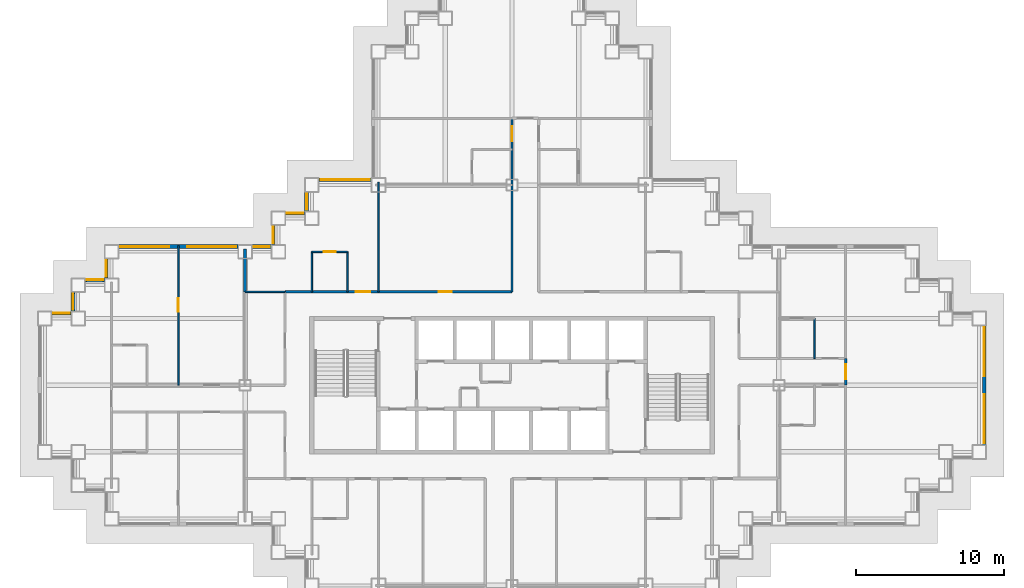
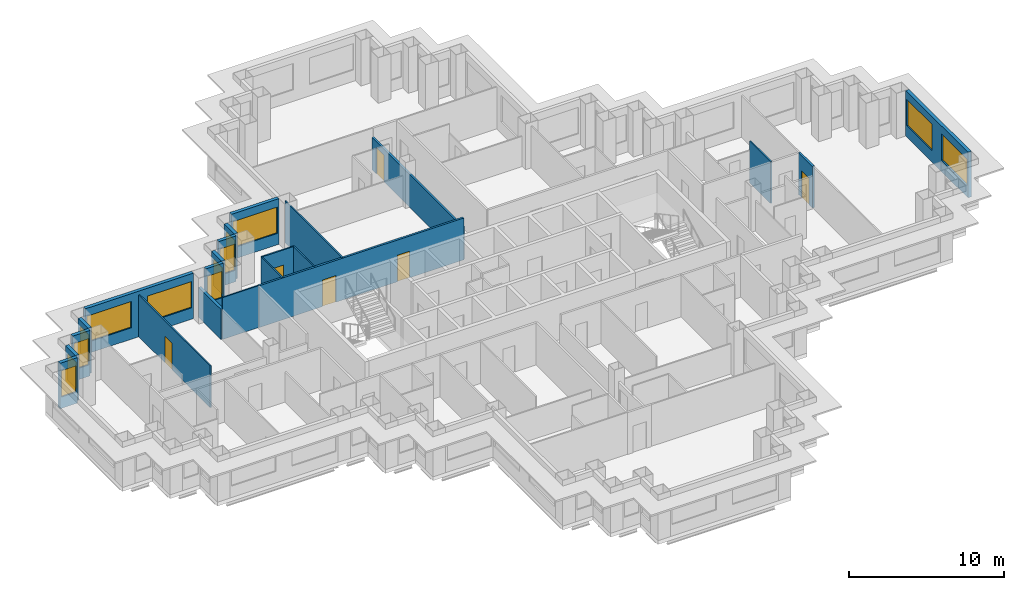
# One storey, part 7 of 14: 22 walls, 13 windows, 6 doors, 19 openings.
"""IFC4 building model written with IfcOpenShell, lengths in metres."""

from ifc_helpers import new_model, si_unit, direction, frame, frame_2d, origin, place, context, subcontext, project, spatial, rectangle, extrude, material, layer, layer_set, type_object, element, fill, save


model = new_model("IFC4")

# Units and contexts
model_context = context("Model", 3, precision=1e-05, world=origin(), true_north=direction((0.0, 1.0)))
body_context = subcontext(model_context, "Body", "Model", "MODEL_VIEW")
ifc_project = project(units=[si_unit("LENGTHUNIT", "METRE"), si_unit("AREAUNIT", "SQUARE_METRE"), si_unit("VOLUMEUNIT", "CUBIC_METRE"), si_unit("PLANEANGLEUNIT", "RADIAN"), si_unit("MASSUNIT", "GRAM", prefix="KILO")], contexts=[model_context])

# Site, building, storey
site_placement = place(None, origin())
site = spatial("IfcSite", under=ifc_project, at=site_placement, CompositionType="ELEMENT")
building_placement = place(site_placement, origin())
building = spatial("IfcBuilding", under=site, at=building_placement, Name="Caravel Reach Hotel and Residences", CompositionType="ELEMENT")
storey_placement = place(building_placement, frame((0.0, 0.0, 88.800048828125)))
storey = spatial("IfcBuildingStorey", under=building, at=storey_placement, Name="L21", CompositionType="ELEMENT", Elevation=88.800048828125)

# Wall, opening, door
ifc_material_1 = material(Name="Gypsum board on steel stud", Category="steel")
ifc_layer_1 = layer(ifc_material_1, 0.10009765625)
ifc_layer_set_1 = layer_set([ifc_layer_1], Name="Bathroom pod wall 100 mm")
wall_type_1 = type_object("IfcWallType", Name="Bathroom pod wall 100 mm", PredefinedType="PARTITIONING", material=ifc_layer_set_1)
wall_1_placement = place(storey_placement, frame((18.0, 36.0, 0.0), z_axis=(0.0, 0.0, 1.0), x_axis=(1.0, 0.0, 0.0)))
wall_1 = element("IfcWall", 1, at=wall_1_placement, inside=storey, type_object=wall_type_1, Name="L21 wall w079", PredefinedType="PARTITIONING", context=body_context, shape_type="SweptSolid", body=[
    extrude(rectangle(XDim=2.39990234375, YDim=0.10009765625, at=frame_2d((1.199951171875, 0.0))), origin(), (0.0, 0.0, 1.0), 3.300048828125),
])
opening_1_placement = place(wall_1_placement, frame((0.800048828125, 0.0, 0.0)))
opening_1 = element("IfcOpeningElement", 2, at=opening_1_placement, cuts=wall_1, Name="Opening D21-039", PredefinedType="OPENING", context=body_context, shape_type="SweptSolid", body=[
    extrude(rectangle(XDim=0.800048828125, YDim=2.10009765625, at=frame_2d((0.39990234375, 1.050048828125))), frame((0.0, 0.06005859375, 0.0), z_axis=(0.0, -1.0, 0.0), x_axis=(1.0, 0.0, 0.0)), (0.0, 0.0, 1.0), 0.1201171875),
])
ifc_material_2 = material(Name="Timber and steel door leaf", Category="steel")
door_type_1 = type_object("IfcDoorType", Name="Bathroom door 800 x 2100", OperationType="SINGLE_SWING_LEFT", PredefinedType="DOOR", material=ifc_material_2)
door_1_placement = place(opening_1_placement, origin())
door_1 = element("IfcDoor", 3, at=door_1_placement, inside=storey, type_object=door_type_1, Name="door D21-039", OperationType="SINGLE_SWING_RIGHT", OverallHeight=2.10009765625, OverallWidth=0.800048828125, PredefinedType="DOOR", context=body_context, shape_type="SweptSolid", body=[
    extrude(rectangle(XDim=0.800048828125, YDim=2.10009765625, at=frame_2d((0.39990234375, 1.050048828125))), frame((0.0, 0.02490234375, 0.0), z_axis=(0.0, -1.0, 0.0), x_axis=(1.0, 0.0, 0.0)), (0.0, 0.0, 1.0), 0.050048828125),
])
fill(opening_1, door_1)

# Walls
for number, where, z_axis, x_axis, name in (
    (4, (18.0, 33.300048828125, 0.0), (0.0, 0.0, 1.0), (0.0, 1.0, 0.0), "L21 wall w083"),
    (5, (20.39990234375, 33.300048828125, 0.0), (0.0, 0.0, 1.0), (0.0, 1.0, 0.0), "L21 wall w084"),
    (6, (51.89990234375, 28.800048828125, 0.0), (0.0, 0.0, 1.0), (0.0, 1.0, 0.0), "L21 wall w092"),
):
    element("IfcWall", number, at=place(storey_placement, frame(where, z_axis=z_axis, x_axis=x_axis)), inside=storey, type_object=wall_type_1, Name=name, PredefinedType="PARTITIONING", context=body_context, shape_type="SweptSolid", body=[
        extrude(rectangle(XDim=2.699951171875, YDim=0.10009765625, at=frame_2d((1.35009765625, 0.0))), origin(), (0.0, 0.0, 1.0), 3.300048828125),
    ])

# Wall, openings, doors
ifc_material_3 = material(Name="Gypsum board on steel stud, fire-rated", Category="steel")
ifc_layer_2 = layer(ifc_material_3, 0.14990234375)
ifc_layer_set_2 = layer_set([ifc_layer_2], Name="Corridor wall 150 mm EI 60")
wall_type_2 = type_object("IfcWallType", Name="Corridor wall 150 mm EI 60", PredefinedType="PARTITIONING", material=ifc_layer_set_2)
wall_2_placement = place(storey_placement, frame((16.199951171875, 33.300048828125, 0.0), z_axis=(0.0, 0.0, 1.0), x_axis=(1.0, 0.0, 0.0)))
wall_2 = element("IfcWall", 7, at=wall_2_placement, inside=storey, type_object=wall_type_2, Name="L21 wall w018", PredefinedType="PARTITIONING", context=body_context, shape_type="SweptSolid", body=[
    extrude(rectangle(XDim=15.300048828125, YDim=0.14990234375, at=frame_2d((7.64990234375, 0.0))), origin(), (0.0, 0.0, 1.0), 3.300048828125),
])
opening_2_placement = place(wall_2_placement, frame((4.75, 0.0, 0.0)))
opening_2 = element("IfcOpeningElement", 8, at=opening_2_placement, cuts=wall_2, Name="Opening D21-038", PredefinedType="OPENING", context=body_context, shape_type="SweptSolid", body=[
    extrude(rectangle(XDim=1.0, YDim=2.10009765625, at=frame_2d((0.5, 1.050048828125))), frame((0.0, 0.0849609375, 0.0), z_axis=(0.0, -1.0, 0.0), x_axis=(1.0, 0.0, 0.0)), (0.0, 0.0, 1.0), 0.169921875),
])
opening_3_placement = place(wall_2_placement, frame((10.35009765625, 0.0, 0.0)))
opening_3 = element("IfcOpeningElement", 9, at=opening_3_placement, cuts=wall_2, Name="Opening D21-048", PredefinedType="OPENING", context=body_context, shape_type="SweptSolid", body=[
    extrude(rectangle(XDim=0.89990234375, YDim=2.10009765625, at=frame_2d((0.449951171875, 1.050048828125))), frame((0.0, 0.0849609375, 0.0), z_axis=(0.0, -1.0, 0.0), x_axis=(1.0, 0.0, 0.0)), (0.0, 0.0, 1.0), 0.169921875),
])
ifc_material_4 = material(Name="Timber and steel door leaf", Category="steel")
door_type_2 = type_object("IfcDoorType", Name="Door 900 x 2100 timber", OperationType="SINGLE_SWING_LEFT", PredefinedType="DOOR", material=ifc_material_4)
door_2_placement = place(opening_3_placement, origin())
door_2 = element("IfcDoor", 10, at=door_2_placement, inside=storey, type_object=door_type_2, Name="door D21-048", OperationType="SINGLE_SWING_RIGHT", OverallHeight=2.10009765625, OverallWidth=0.89990234375, PredefinedType="DOOR", context=body_context, shape_type="SweptSolid", body=[
    extrude(rectangle(XDim=0.89990234375, YDim=2.10009765625, at=frame_2d((0.449951171875, 1.050048828125))), frame((0.0, 0.02490234375, 0.0), z_axis=(0.0, -1.0, 0.0), x_axis=(1.0, 0.0, 0.0)), (0.0, 0.0, 1.0), 0.050048828125),
])
fill(opening_3, door_2)
ifc_material_5 = material(Name="Steel fire door leaf", Category="steel")
door_type_3 = type_object("IfcDoorType", Name="Guest room door 1000 x 2100 EI 30", OperationType="SINGLE_SWING_LEFT", PredefinedType="DOOR", material=ifc_material_5)
door_3_placement = place(opening_2_placement, origin())
door_3 = element("IfcDoor", 11, at=door_3_placement, inside=storey, type_object=door_type_3, Name="door D21-038", OperationType="SINGLE_SWING_RIGHT", OverallHeight=2.10009765625, OverallWidth=1.0, PredefinedType="DOOR", context=body_context, shape_type="SweptSolid", body=[
    extrude(rectangle(XDim=1.0, YDim=2.10009765625, at=frame_2d((0.5, 1.050048828125))), frame((0.0, 0.02490234375, 0.0), z_axis=(0.0, -1.0, 0.0), x_axis=(1.0, 0.0, 0.0)), (0.0, 0.0, 1.0), 0.050048828125),
])
fill(opening_2, door_3)

# Wall, opening, door
wall_3_placement = place(storey_placement, frame((31.5, 33.300048828125, 0.0), z_axis=(0.0, 0.0, 1.0), x_axis=(0.0, 1.0, 0.0)))
wall_3 = element("IfcWall", 12, at=wall_3_placement, inside=storey, type_object=wall_type_2, Name="L21 wall w030", PredefinedType="PARTITIONING", context=body_context, shape_type="SweptSolid", body=[
    extrude(rectangle(XDim=11.699951171875, YDim=0.14990234375, at=frame_2d((5.85009765625, 0.0))), origin(), (0.0, 0.0, 1.0), 2.579833984375),
])
opening_4_placement = place(wall_3_placement, frame((10.14990234375, 0.0, 0.0)))
opening_4 = element("IfcOpeningElement", 13, at=opening_4_placement, cuts=wall_3, Name="Opening D21-026", PredefinedType="OPENING", context=body_context, shape_type="SweptSolid", body=[
    extrude(rectangle(XDim=1.0, YDim=2.10009765625, at=frame_2d((0.5, 1.050048828125))), frame((0.0, 0.0849609375, 0.0), z_axis=(0.0, -1.0, 0.0), x_axis=(1.0, 0.0, 0.0)), (0.0, 0.0, 1.0), 0.169921875),
])
door_4_placement = place(opening_4_placement, origin())
door_4 = element("IfcDoor", 14, at=door_4_placement, inside=storey, type_object=door_type_3, Name="door D21-026", OperationType="SINGLE_SWING_RIGHT", OverallHeight=2.10009765625, OverallWidth=1.0, PredefinedType="DOOR", context=body_context, shape_type="SweptSolid", body=[
    extrude(rectangle(XDim=1.0, YDim=2.10009765625, at=frame_2d((0.5, 1.050048828125))), frame((0.0, 0.02490234375, 0.0), z_axis=(0.0, -1.0, 0.0), x_axis=(1.0, 0.0, 0.0)), (0.0, 0.0, 1.0), 0.050048828125),
])
fill(opening_4, door_4)

wall_4_placement = place(storey_placement, frame((54.0, 27.0, 0.0), z_axis=(0.0, 0.0, 1.0), x_axis=(0.0, 1.0, 0.0)))
wall_4 = element("IfcWall", 15, at=wall_4_placement, inside=storey, type_object=wall_type_2, Name="L21 wall w037", PredefinedType="PARTITIONING", context=body_context, shape_type="SweptSolid", body=[
    extrude(rectangle(XDim=1.800048828125, YDim=0.14990234375, at=frame_2d((0.89990234375, 0.0))), origin(), (0.0, 0.0, 1.0), 3.300048828125),
])
opening_5_placement = place(wall_4_placement, frame((0.39990234375, 0.0, 0.0)))
opening_5 = element("IfcOpeningElement", 16, at=opening_5_placement, cuts=wall_4, Name="Opening D21-035", PredefinedType="OPENING", context=body_context, shape_type="SweptSolid", body=[
    extrude(rectangle(XDim=1.0, YDim=2.10009765625, at=frame_2d((0.5, 1.050048828125))), frame((0.0, 0.0849609375, 0.0), z_axis=(0.0, -1.0, 0.0), x_axis=(1.0, 0.0, 0.0)), (0.0, 0.0, 1.0), 0.169921875),
])
door_5_placement = place(opening_5_placement, origin())
door_5 = element("IfcDoor", 17, at=door_5_placement, inside=storey, type_object=door_type_3, Name="door D21-035", OperationType="SINGLE_SWING_RIGHT", OverallHeight=2.10009765625, OverallWidth=1.0, PredefinedType="DOOR", context=body_context, shape_type="SweptSolid", body=[
    extrude(rectangle(XDim=1.0, YDim=2.10009765625, at=frame_2d((0.5, 1.050048828125))), frame((0.0, 0.02490234375, 0.0), z_axis=(0.0, -1.0, 0.0), x_axis=(1.0, 0.0, 0.0)), (0.0, 0.0, 1.0), 0.050048828125),
])
fill(opening_5, door_5)

# Wall, openings, windows
ifc_material_6 = material(Name="Insulated rainscreen wall, aluminium cladding", Category="aluminium")
ifc_layer_3 = layer(ifc_material_6, 0.25)
ifc_layer_set_3 = layer_set([ifc_layer_3], Name="EW1 Tower rainscreen wall")
wall_type_3 = type_object("IfcWallType", Name="EW1 Tower rainscreen wall", PredefinedType="SOLIDWALL", material=ifc_layer_set_3)
wall_5_placement = place(storey_placement, frame((63.35009765625, 22.97509765625, 0.0), z_axis=(0.0, 0.0, 1.0), x_axis=(0.0, 1.0, 0.0)))
wall_5 = element("IfcWall", 18, at=wall_5_placement, inside=storey, type_object=wall_type_3, Name="External wall L21 E20.1", PredefinedType="SOLIDWALL", context=body_context, shape_type="SweptSolid", body=[
    extrude(rectangle(XDim=8.0498046875, YDim=0.25, at=frame_2d((4.02490234375, 0.0))), origin(), (0.0, 0.0, 1.0), 3.599853515625),
])
opening_6_placement = place(wall_5_placement, frame((0.125, 0.0, 0.89990234375)))
opening_6 = element("IfcOpeningElement", 19, at=opening_6_placement, cuts=wall_5, Name="Opening WN4", PredefinedType="OPENING", context=body_context, shape_type="SweptSolid", body=[
    extrude(rectangle(XDim=3.300048828125, YDim=2.080078125, at=frame_2d((1.64990234375, 1.0400390625))), frame((0.0, 0.135009765625, 0.0), z_axis=(0.0, -1.0, 0.0), x_axis=(1.0, 0.0, 0.0)), (0.0, 0.0, 1.0), 0.27001953125),
])
opening_7_placement = place(wall_5_placement, frame((4.625, 0.0, 0.89990234375)))
opening_7 = element("IfcOpeningElement", 20, at=opening_7_placement, cuts=wall_5, Name="Opening WN4", PredefinedType="OPENING", context=body_context, shape_type="SweptSolid", body=[
    extrude(rectangle(XDim=3.300048828125, YDim=2.080078125, at=frame_2d((1.64990234375, 1.0400390625))), frame((0.0, 0.135009765625, 0.0), z_axis=(0.0, -1.0, 0.0), x_axis=(1.0, 0.0, 0.0)), (0.0, 0.0, 1.0), 0.27001953125),
])
ifc_material_7 = material(Name="Dark low-e glazing in black aluminium frame", Category="aluminium")
window_type_1 = type_object("IfcWindowType", Name="Hotel guest room window 3300 x 2080", PartitioningType="SINGLE_PANEL", PredefinedType="WINDOW", material=ifc_material_7)
window_1_placement = place(opening_6_placement, origin())
window_1 = element("IfcWindow", 21, at=window_1_placement, inside=storey, type_object=window_type_1, Name="Window L21 E20.1.1", OverallHeight=2.080078125, OverallWidth=3.300048828125, PartitioningType="SINGLE_PANEL", PredefinedType="WINDOW", context=body_context, shape_type="SweptSolid", body=[
    extrude(rectangle(XDim=3.300048828125, YDim=2.080078125, at=frame_2d((1.64990234375, 1.0400390625))), frame((0.0, 0.030029296875, 0.0), z_axis=(0.0, -1.0, 0.0), x_axis=(1.0, 0.0, 0.0)), (0.0, 0.0, 1.0), 0.06005859375),
])
fill(opening_6, window_1)
window_2_placement = place(opening_7_placement, origin())
window_2 = element("IfcWindow", 22, at=window_2_placement, inside=storey, type_object=window_type_1, Name="Window L21 E20.1.2", OverallHeight=2.080078125, OverallWidth=3.300048828125, PartitioningType="SINGLE_PANEL", PredefinedType="WINDOW", context=body_context, shape_type="SweptSolid", body=[
    extrude(rectangle(XDim=3.300048828125, YDim=2.080078125, at=frame_2d((1.64990234375, 1.0400390625))), frame((0.0, 0.030029296875, 0.0), z_axis=(0.0, -1.0, 0.0), x_axis=(1.0, 0.0, 0.0)), (0.0, 0.0, 1.0), 0.06005859375),
])
fill(opening_7, window_2)

# Wall, opening, window
wall_6_placement = place(storey_placement, frame((22.02490234375, 40.85009765625, 0.0), z_axis=(0.0, 0.0, 1.0), x_axis=(-1.0, 0.0, 0.0)))
wall_6 = element("IfcWall", 23, at=wall_6_placement, inside=storey, type_object=wall_type_3, Name="External wall L21 N41.1", PredefinedType="SOLIDWALL", context=body_context, shape_type="SweptSolid", body=[
    extrude(rectangle(XDim=3.5498046875, YDim=0.25, at=frame_2d((1.77490234375, 0.0))), origin(), (0.0, 0.0, 1.0), 3.599853515625),
])
opening_8_placement = place(wall_6_placement, frame((0.125, 0.0, 0.89990234375)))
opening_8 = element("IfcOpeningElement", 24, at=opening_8_placement, cuts=wall_6, Name="Opening WN4", PredefinedType="OPENING", context=body_context, shape_type="SweptSolid", body=[
    extrude(rectangle(XDim=3.300048828125, YDim=2.080078125, at=frame_2d((1.64990234375, 1.0400390625))), frame((0.0, 0.135009765625, 0.0), z_axis=(0.0, -1.0, 0.0), x_axis=(1.0, 0.0, 0.0)), (0.0, 0.0, 1.0), 0.27001953125),
])
window_3_placement = place(opening_8_placement, origin())
window_3 = element("IfcWindow", 25, at=window_3_placement, inside=storey, type_object=window_type_1, Name="Window L21 N41.1.1", OverallHeight=2.080078125, OverallWidth=3.300048828125, PartitioningType="SINGLE_PANEL", PredefinedType="WINDOW", context=body_context, shape_type="SweptSolid", body=[
    extrude(rectangle(XDim=3.300048828125, YDim=2.080078125, at=frame_2d((1.64990234375, 1.0400390625))), frame((0.0, 0.030029296875, 0.0), z_axis=(0.0, -1.0, 0.0), x_axis=(1.0, 0.0, 0.0)), (0.0, 0.0, 1.0), 0.06005859375),
])
fill(opening_8, window_3)

wall_7_placement = place(storey_placement, frame((17.64990234375, 40.02490234375, 0.0), z_axis=(0.0, 0.0, 1.0), x_axis=(0.0, -1.0, 0.0)))
wall_7 = element("IfcWall", 26, at=wall_7_placement, inside=storey, type_object=wall_type_3, Name="External wall L21 W42.1", PredefinedType="SOLIDWALL", context=body_context, shape_type="SweptSolid", body=[
    extrude(rectangle(XDim=1.2998046875, YDim=0.25, at=frame_2d((0.64990234375, 0.0))), origin(), (0.0, 0.0, 1.0), 3.599853515625),
])
opening_9_placement = place(wall_7_placement, frame((0.10009765625, 0.0, 0.89990234375)))
opening_9 = element("IfcOpeningElement", 27, at=opening_9_placement, cuts=wall_7, Name="Opening WN5", PredefinedType="OPENING", context=body_context, shape_type="SweptSolid", body=[
    extrude(rectangle(XDim=1.10009765625, YDim=2.080078125, at=frame_2d((0.550048828125, 1.0400390625))), frame((0.0, 0.135009765625, 0.0), z_axis=(0.0, -1.0, 0.0), x_axis=(1.0, 0.0, 0.0)), (0.0, 0.0, 1.0), 0.27001953125),
])
ifc_material_8 = material(Name="Dark low-e glazing in black aluminium frame", Category="aluminium")
window_type_2 = type_object("IfcWindowType", Name="Hotel suite corner window 1100 x 2080", PartitioningType="SINGLE_PANEL", PredefinedType="WINDOW", material=ifc_material_8)
window_4_placement = place(opening_9_placement, origin())
window_4 = element("IfcWindow", 28, at=window_4_placement, inside=storey, type_object=window_type_2, Name="Window L21 W42.1.1", OverallHeight=2.080078125, OverallWidth=1.10009765625, PartitioningType="SINGLE_PANEL", PredefinedType="WINDOW", context=body_context, shape_type="SweptSolid", body=[
    extrude(rectangle(XDim=1.10009765625, YDim=2.080078125, at=frame_2d((0.550048828125, 1.0400390625))), frame((0.0, 0.030029296875, 0.0), z_axis=(0.0, -1.0, 0.0), x_axis=(1.0, 0.0, 0.0)), (0.0, 0.0, 1.0), 0.06005859375),
])
fill(opening_9, window_4)

wall_8_placement = place(storey_placement, frame((17.52490234375, 38.60009765625, 0.0), z_axis=(0.0, 0.0, 1.0), x_axis=(-1.0, 0.0, 0.0)))
wall_8 = element("IfcWall", 29, at=wall_8_placement, inside=storey, type_object=wall_type_3, Name="External wall L21 N43.1", PredefinedType="SOLIDWALL", context=body_context, shape_type="SweptSolid", body=[
    extrude(rectangle(XDim=1.2998046875, YDim=0.25, at=frame_2d((0.64990234375, 0.0))), origin(), (0.0, 0.0, 1.0), 3.599853515625),
])
opening_10_placement = place(wall_8_placement, frame((0.10009765625, 0.0, 0.89990234375)))
opening_10 = element("IfcOpeningElement", 30, at=opening_10_placement, cuts=wall_8, Name="Opening WN5", PredefinedType="OPENING", context=body_context, shape_type="SweptSolid", body=[
    extrude(rectangle(XDim=1.10009765625, YDim=2.080078125, at=frame_2d((0.550048828125, 1.0400390625))), frame((0.0, 0.135009765625, 0.0), z_axis=(0.0, -1.0, 0.0), x_axis=(1.0, 0.0, 0.0)), (0.0, 0.0, 1.0), 0.27001953125),
])
window_5_placement = place(opening_10_placement, origin())
window_5 = element("IfcWindow", 31, at=window_5_placement, inside=storey, type_object=window_type_2, Name="Window L21 N43.1.1", OverallHeight=2.080078125, OverallWidth=1.10009765625, PartitioningType="SINGLE_PANEL", PredefinedType="WINDOW", context=body_context, shape_type="SweptSolid", body=[
    extrude(rectangle(XDim=1.10009765625, YDim=2.080078125, at=frame_2d((0.550048828125, 1.0400390625))), frame((0.0, 0.030029296875, 0.0), z_axis=(0.0, -1.0, 0.0), x_axis=(1.0, 0.0, 0.0)), (0.0, 0.0, 1.0), 0.06005859375),
])
fill(opening_10, window_5)

wall_9_placement = place(storey_placement, frame((15.39990234375, 37.77490234375, 0.0), z_axis=(0.0, 0.0, 1.0), x_axis=(0.0, -1.0, 0.0)))
wall_9 = element("IfcWall", 32, at=wall_9_placement, inside=storey, type_object=wall_type_3, Name="External wall L21 W44.1", PredefinedType="SOLIDWALL", context=body_context, shape_type="SweptSolid", body=[
    extrude(rectangle(XDim=1.2998046875, YDim=0.25, at=frame_2d((0.64990234375, 0.0))), origin(), (0.0, 0.0, 1.0), 3.599853515625),
])
opening_11_placement = place(wall_9_placement, frame((0.10009765625, 0.0, 0.89990234375)))
opening_11 = element("IfcOpeningElement", 33, at=opening_11_placement, cuts=wall_9, Name="Opening WN5", PredefinedType="OPENING", context=body_context, shape_type="SweptSolid", body=[
    extrude(rectangle(XDim=1.10009765625, YDim=2.080078125, at=frame_2d((0.550048828125, 1.0400390625))), frame((0.0, 0.135009765625, 0.0), z_axis=(0.0, -1.0, 0.0), x_axis=(1.0, 0.0, 0.0)), (0.0, 0.0, 1.0), 0.27001953125),
])
window_6_placement = place(opening_11_placement, origin())
window_6 = element("IfcWindow", 34, at=window_6_placement, inside=storey, type_object=window_type_2, Name="Window L21 W44.1.1", OverallHeight=2.080078125, OverallWidth=1.10009765625, PartitioningType="SINGLE_PANEL", PredefinedType="WINDOW", context=body_context, shape_type="SweptSolid", body=[
    extrude(rectangle(XDim=1.10009765625, YDim=2.080078125, at=frame_2d((0.550048828125, 1.0400390625))), frame((0.0, 0.030029296875, 0.0), z_axis=(0.0, -1.0, 0.0), x_axis=(1.0, 0.0, 0.0)), (0.0, 0.0, 1.0), 0.06005859375),
])
fill(opening_11, window_6)

wall_10_placement = place(storey_placement, frame((15.27490234375, 36.35009765625, 0.0), z_axis=(0.0, 0.0, 1.0), x_axis=(-1.0, 0.0, 0.0)))
wall_10 = element("IfcWall", 35, at=wall_10_placement, inside=storey, type_object=wall_type_3, Name="External wall L21 N45.1", PredefinedType="SOLIDWALL", context=body_context, shape_type="SweptSolid", body=[
    extrude(rectangle(XDim=1.2998046875, YDim=0.25, at=frame_2d((0.64990234375, 0.0))), origin(), (0.0, 0.0, 1.0), 3.599853515625),
])
opening_12_placement = place(wall_10_placement, frame((0.10009765625, 0.0, 0.89990234375)))
opening_12 = element("IfcOpeningElement", 36, at=opening_12_placement, cuts=wall_10, Name="Opening WN5", PredefinedType="OPENING", context=body_context, shape_type="SweptSolid", body=[
    extrude(rectangle(XDim=1.10009765625, YDim=2.080078125, at=frame_2d((0.550048828125, 1.0400390625))), frame((0.0, 0.135009765625, 0.0), z_axis=(0.0, -1.0, 0.0), x_axis=(1.0, 0.0, 0.0)), (0.0, 0.0, 1.0), 0.27001953125),
])
window_7_placement = place(opening_12_placement, origin())
window_7 = element("IfcWindow", 37, at=window_7_placement, inside=storey, type_object=window_type_2, Name="Window L21 N45.1.1", OverallHeight=2.080078125, OverallWidth=1.10009765625, PartitioningType="SINGLE_PANEL", PredefinedType="WINDOW", context=body_context, shape_type="SweptSolid", body=[
    extrude(rectangle(XDim=1.10009765625, YDim=2.080078125, at=frame_2d((0.550048828125, 1.0400390625))), frame((0.0, 0.030029296875, 0.0), z_axis=(0.0, -1.0, 0.0), x_axis=(1.0, 0.0, 0.0)), (0.0, 0.0, 1.0), 0.06005859375),
])
fill(opening_12, window_7)

# Wall, openings, windows
wall_11_placement = place(storey_placement, frame((13.02490234375, 36.35009765625, 0.0), z_axis=(0.0, 0.0, 1.0), x_axis=(-1.0, 0.0, 0.0)))
wall_11 = element("IfcWall", 38, at=wall_11_placement, inside=storey, type_object=wall_type_3, Name="External wall L21 N45.2", PredefinedType="SOLIDWALL", context=body_context, shape_type="SweptSolid", body=[
    extrude(rectangle(XDim=8.0498046875, YDim=0.25, at=frame_2d((4.02490234375, 0.0))), origin(), (0.0, 0.0, 1.0), 3.599853515625),
])
opening_13_placement = place(wall_11_placement, frame((0.125, 0.0, 0.89990234375)))
opening_13 = element("IfcOpeningElement", 39, at=opening_13_placement, cuts=wall_11, Name="Opening WN4", PredefinedType="OPENING", context=body_context, shape_type="SweptSolid", body=[
    extrude(rectangle(XDim=3.300048828125, YDim=2.080078125, at=frame_2d((1.64990234375, 1.0400390625))), frame((0.0, 0.135009765625, 0.0), z_axis=(0.0, -1.0, 0.0), x_axis=(1.0, 0.0, 0.0)), (0.0, 0.0, 1.0), 0.27001953125),
])
opening_14_placement = place(wall_11_placement, frame((4.625, 0.0, 0.89990234375)))
opening_14 = element("IfcOpeningElement", 40, at=opening_14_placement, cuts=wall_11, Name="Opening WN4", PredefinedType="OPENING", context=body_context, shape_type="SweptSolid", body=[
    extrude(rectangle(XDim=3.300048828125, YDim=2.080078125, at=frame_2d((1.64990234375, 1.0400390625))), frame((0.0, 0.135009765625, 0.0), z_axis=(0.0, -1.0, 0.0), x_axis=(1.0, 0.0, 0.0)), (0.0, 0.0, 1.0), 0.27001953125),
])
window_8_placement = place(opening_13_placement, origin())
window_8 = element("IfcWindow", 41, at=window_8_placement, inside=storey, type_object=window_type_1, Name="Window L21 N45.2.1", OverallHeight=2.080078125, OverallWidth=3.300048828125, PartitioningType="SINGLE_PANEL", PredefinedType="WINDOW", context=body_context, shape_type="SweptSolid", body=[
    extrude(rectangle(XDim=3.300048828125, YDim=2.080078125, at=frame_2d((1.64990234375, 1.0400390625))), frame((0.0, 0.030029296875, 0.0), z_axis=(0.0, -1.0, 0.0), x_axis=(1.0, 0.0, 0.0)), (0.0, 0.0, 1.0), 0.06005859375),
])
fill(opening_13, window_8)
window_9_placement = place(opening_14_placement, origin())
window_9 = element("IfcWindow", 42, at=window_9_placement, inside=storey, type_object=window_type_1, Name="Window L21 N45.2.2", OverallHeight=2.080078125, OverallWidth=3.300048828125, PartitioningType="SINGLE_PANEL", PredefinedType="WINDOW", context=body_context, shape_type="SweptSolid", body=[
    extrude(rectangle(XDim=3.300048828125, YDim=2.080078125, at=frame_2d((1.64990234375, 1.0400390625))), frame((0.0, 0.030029296875, 0.0), z_axis=(0.0, -1.0, 0.0), x_axis=(1.0, 0.0, 0.0)), (0.0, 0.0, 1.0), 0.06005859375),
])
fill(opening_14, window_9)

# Wall, opening, window
wall_12_placement = place(storey_placement, frame((4.14990234375, 35.52490234375, 0.0), z_axis=(0.0, 0.0, 1.0), x_axis=(0.0, -1.0, 0.0)))
wall_12 = element("IfcWall", 43, at=wall_12_placement, inside=storey, type_object=wall_type_3, Name="External wall L21 W46.1", PredefinedType="SOLIDWALL", context=body_context, shape_type="SweptSolid", body=[
    extrude(rectangle(XDim=1.2998046875, YDim=0.25, at=frame_2d((0.64990234375, 0.0))), origin(), (0.0, 0.0, 1.0), 3.599853515625),
])
opening_15_placement = place(wall_12_placement, frame((0.10009765625, 0.0, 0.89990234375)))
opening_15 = element("IfcOpeningElement", 44, at=opening_15_placement, cuts=wall_12, Name="Opening WN5", PredefinedType="OPENING", context=body_context, shape_type="SweptSolid", body=[
    extrude(rectangle(XDim=1.10009765625, YDim=2.080078125, at=frame_2d((0.550048828125, 1.0400390625))), frame((0.0, 0.135009765625, 0.0), z_axis=(0.0, -1.0, 0.0), x_axis=(1.0, 0.0, 0.0)), (0.0, 0.0, 1.0), 0.27001953125),
])
window_10_placement = place(opening_15_placement, origin())
window_10 = element("IfcWindow", 45, at=window_10_placement, inside=storey, type_object=window_type_2, Name="Window L21 W46.1.1", OverallHeight=2.080078125, OverallWidth=1.10009765625, PartitioningType="SINGLE_PANEL", PredefinedType="WINDOW", context=body_context, shape_type="SweptSolid", body=[
    extrude(rectangle(XDim=1.10009765625, YDim=2.080078125, at=frame_2d((0.550048828125, 1.0400390625))), frame((0.0, 0.030029296875, 0.0), z_axis=(0.0, -1.0, 0.0), x_axis=(1.0, 0.0, 0.0)), (0.0, 0.0, 1.0), 0.06005859375),
])
fill(opening_15, window_10)

wall_13_placement = place(storey_placement, frame((4.02490234375, 34.10009765625, 0.0), z_axis=(0.0, 0.0, 1.0), x_axis=(-1.0, 0.0, 0.0)))
wall_13 = element("IfcWall", 46, at=wall_13_placement, inside=storey, type_object=wall_type_3, Name="External wall L21 N47.1", PredefinedType="SOLIDWALL", context=body_context, shape_type="SweptSolid", body=[
    extrude(rectangle(XDim=1.2998046875, YDim=0.25, at=frame_2d((0.64990234375, 0.0))), origin(), (0.0, 0.0, 1.0), 3.599853515625),
])
opening_16_placement = place(wall_13_placement, frame((0.10009765625, 0.0, 0.89990234375)))
opening_16 = element("IfcOpeningElement", 47, at=opening_16_placement, cuts=wall_13, Name="Opening WN5", PredefinedType="OPENING", context=body_context, shape_type="SweptSolid", body=[
    extrude(rectangle(XDim=1.10009765625, YDim=2.080078125, at=frame_2d((0.550048828125, 1.0400390625))), frame((0.0, 0.135009765625, 0.0), z_axis=(0.0, -1.0, 0.0), x_axis=(1.0, 0.0, 0.0)), (0.0, 0.0, 1.0), 0.27001953125),
])
window_11_placement = place(opening_16_placement, origin())
window_11 = element("IfcWindow", 48, at=window_11_placement, inside=storey, type_object=window_type_2, Name="Window L21 N47.1.1", OverallHeight=2.080078125, OverallWidth=1.10009765625, PartitioningType="SINGLE_PANEL", PredefinedType="WINDOW", context=body_context, shape_type="SweptSolid", body=[
    extrude(rectangle(XDim=1.10009765625, YDim=2.080078125, at=frame_2d((0.550048828125, 1.0400390625))), frame((0.0, 0.030029296875, 0.0), z_axis=(0.0, -1.0, 0.0), x_axis=(1.0, 0.0, 0.0)), (0.0, 0.0, 1.0), 0.06005859375),
])
fill(opening_16, window_11)

wall_14_placement = place(storey_placement, frame((1.89990234375, 33.27490234375, 0.0), z_axis=(0.0, 0.0, 1.0), x_axis=(0.0, -1.0, 0.0)))
wall_14 = element("IfcWall", 49, at=wall_14_placement, inside=storey, type_object=wall_type_3, Name="External wall L21 W48.1", PredefinedType="SOLIDWALL", context=body_context, shape_type="SweptSolid", body=[
    extrude(rectangle(XDim=1.2998046875, YDim=0.25, at=frame_2d((0.64990234375, 0.0))), origin(), (0.0, 0.0, 1.0), 3.599853515625),
])
opening_17_placement = place(wall_14_placement, frame((0.10009765625, 0.0, 0.89990234375)))
opening_17 = element("IfcOpeningElement", 50, at=opening_17_placement, cuts=wall_14, Name="Opening WN5", PredefinedType="OPENING", context=body_context, shape_type="SweptSolid", body=[
    extrude(rectangle(XDim=1.10009765625, YDim=2.080078125, at=frame_2d((0.550048828125, 1.0400390625))), frame((0.0, 0.135009765625, 0.0), z_axis=(0.0, -1.0, 0.0), x_axis=(1.0, 0.0, 0.0)), (0.0, 0.0, 1.0), 0.27001953125),
])
window_12_placement = place(opening_17_placement, origin())
window_12 = element("IfcWindow", 51, at=window_12_placement, inside=storey, type_object=window_type_2, Name="Window L21 W48.1.1", OverallHeight=2.080078125, OverallWidth=1.10009765625, PartitioningType="SINGLE_PANEL", PredefinedType="WINDOW", context=body_context, shape_type="SweptSolid", body=[
    extrude(rectangle(XDim=1.10009765625, YDim=2.080078125, at=frame_2d((0.550048828125, 1.0400390625))), frame((0.0, 0.030029296875, 0.0), z_axis=(0.0, -1.0, 0.0), x_axis=(1.0, 0.0, 0.0)), (0.0, 0.0, 1.0), 0.06005859375),
])
fill(opening_17, window_12)

wall_15_placement = place(storey_placement, frame((1.77490234375, 31.85009765625, 0.0), z_axis=(0.0, 0.0, 1.0), x_axis=(-1.0, 0.0, 0.0)))
wall_15 = element("IfcWall", 52, at=wall_15_placement, inside=storey, type_object=wall_type_3, Name="External wall L21 N49.1", PredefinedType="SOLIDWALL", context=body_context, shape_type="SweptSolid", body=[
    extrude(rectangle(XDim=1.2998046875, YDim=0.25, at=frame_2d((0.64990234375, 0.0))), origin(), (0.0, 0.0, 1.0), 3.599853515625),
])
opening_18_placement = place(wall_15_placement, frame((0.10009765625, 0.0, 0.89990234375)))
opening_18 = element("IfcOpeningElement", 53, at=opening_18_placement, cuts=wall_15, Name="Opening WN5", PredefinedType="OPENING", context=body_context, shape_type="SweptSolid", body=[
    extrude(rectangle(XDim=1.10009765625, YDim=2.080078125, at=frame_2d((0.550048828125, 1.0400390625))), frame((0.0, 0.135009765625, 0.0), z_axis=(0.0, -1.0, 0.0), x_axis=(1.0, 0.0, 0.0)), (0.0, 0.0, 1.0), 0.27001953125),
])
window_13_placement = place(opening_18_placement, origin())
window_13 = element("IfcWindow", 54, at=window_13_placement, inside=storey, type_object=window_type_2, Name="Window L21 N49.1.1", OverallHeight=2.080078125, OverallWidth=1.10009765625, PartitioningType="SINGLE_PANEL", PredefinedType="WINDOW", context=body_context, shape_type="SweptSolid", body=[
    extrude(rectangle(XDim=1.10009765625, YDim=2.080078125, at=frame_2d((0.550048828125, 1.0400390625))), frame((0.0, 0.030029296875, 0.0), z_axis=(0.0, -1.0, 0.0), x_axis=(1.0, 0.0, 0.0)), (0.0, 0.0, 1.0), 0.06005859375),
])
fill(opening_18, window_13)

# Walls
ifc_material_9 = material(Name="Gypsum board on steel stud", Category="steel")
ifc_layer_4 = layer(ifc_material_9, 0.10009765625)
ifc_layer_set_4 = layer_set([ifc_layer_4], Name="Partition 100 mm")
wall_type_4 = type_object("IfcWallType", Name="Partition 100 mm", PredefinedType="PARTITIONING", material=ifc_layer_set_4)
wall_16_placement = place(storey_placement, frame((13.5, 33.300048828125, 0.0), z_axis=(0.0, 0.0, 1.0), x_axis=(1.0, 0.0, 0.0)))
element("IfcWall", 55, at=wall_16_placement, inside=storey, type_object=wall_type_4, Name="L21 wall w043", PredefinedType="PARTITIONING", context=body_context, shape_type="SweptSolid", body=[
    extrude(rectangle(XDim=2.699951171875, YDim=0.10009765625, at=frame_2d((1.35009765625, 0.0))), origin(), (0.0, 0.0, 1.0), 3.300048828125),
])
wall_17_placement = place(storey_placement, frame((22.5, 33.300048828125, 0.0), z_axis=(0.0, 0.0, 1.0), x_axis=(0.0, 1.0, 0.0)))
element("IfcWall", 56, at=wall_17_placement, inside=storey, type_object=wall_type_4, Name="L21 wall w055", PredefinedType="PARTITIONING", context=body_context, shape_type="SweptSolid", body=[
    extrude(rectangle(XDim=7.389892578125, YDim=0.10009765625, at=frame_2d((3.69482421875, 0.0))), origin(), (0.0, 0.0, 1.0), 3.300048828125),
])

# Wall, opening, door
wall_18_placement = place(storey_placement, frame((9.0, 27.0, 0.0), z_axis=(0.0, 0.0, 1.0), x_axis=(0.0, 1.0, 0.0)))
wall_18 = element("IfcWall", 57, at=wall_18_placement, inside=storey, type_object=wall_type_4, Name="L21 wall w067", PredefinedType="PARTITIONING", context=body_context, shape_type="SweptSolid", body=[
    extrude(rectangle(XDim=9.4150390625, YDim=0.10009765625, at=frame_2d((4.70751953125, 0.0))), origin(), (0.0, 0.0, 1.0), 3.300048828125),
])
opening_19_placement = place(wall_18_placement, frame((4.949951171875, 0.0, 0.0)))
opening_19 = element("IfcOpeningElement", 58, at=opening_19_placement, cuts=wall_18, Name="Opening D21-020", PredefinedType="OPENING", context=body_context, shape_type="SweptSolid", body=[
    extrude(rectangle(XDim=0.89990234375, YDim=2.10009765625, at=frame_2d((0.449951171875, 1.050048828125))), frame((0.0, 0.06005859375, 0.0), z_axis=(0.0, -1.0, 0.0), x_axis=(1.0, 0.0, 0.0)), (0.0, 0.0, 1.0), 0.1201171875),
])
door_6_placement = place(opening_19_placement, origin())
door_6 = element("IfcDoor", 59, at=door_6_placement, inside=storey, type_object=door_type_2, Name="door D21-020", OperationType="SINGLE_SWING_RIGHT", OverallHeight=2.10009765625, OverallWidth=0.89990234375, PredefinedType="DOOR", context=body_context, shape_type="SweptSolid", body=[
    extrude(rectangle(XDim=0.89990234375, YDim=2.10009765625, at=frame_2d((0.449951171875, 1.050048828125))), frame((0.0, 0.02490234375, 0.0), z_axis=(0.0, -1.0, 0.0), x_axis=(1.0, 0.0, 0.0)), (0.0, 0.0, 1.0), 0.050048828125),
])
fill(opening_19, door_6)

# Wall
ifc_material_10 = material(Name="Autoclaved aerated block wall")
ifc_layer_5 = layer(ifc_material_10, 0.199951171875)
ifc_layer_set_5 = layer_set([ifc_layer_5], Name="Party wall 200 mm EI 60")
wall_type_5 = type_object("IfcWallType", Name="Party wall 200 mm EI 60", PredefinedType="PARTITIONING", material=ifc_layer_set_5)
wall_19_placement = place(storey_placement, frame((13.5, 33.300048828125, 0.0), z_axis=(0.0, 0.0, 1.0), x_axis=(0.0, 1.0, 0.0)))
element("IfcWall", 60, at=wall_19_placement, inside=storey, type_object=wall_type_5, Name="L21 wall w069", PredefinedType="PARTITIONING", context=body_context, shape_type="SweptSolid", body=[
    extrude(rectangle(XDim=2.889892578125, YDim=0.199951171875, at=frame_2d((1.44482421875, 0.0))), origin(), (0.0, 0.0, 1.0), 2.3798828125),
])

save(model, "model.ifc")
